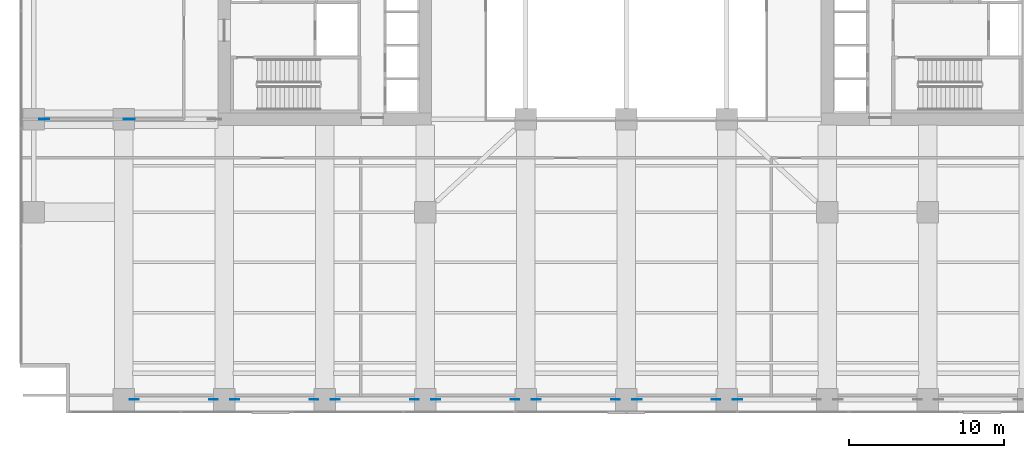
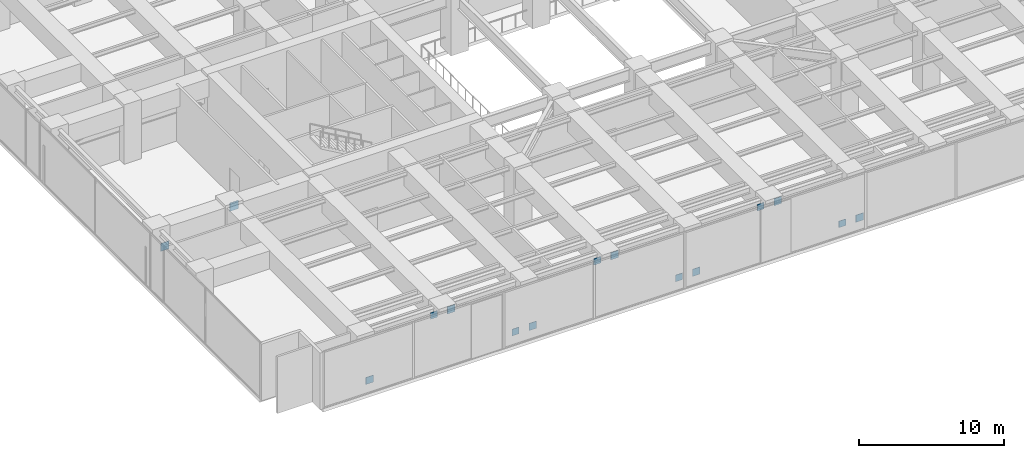
# One storey, part 19 of 31: 15 plates.
"""IFC4 building model written with IfcOpenShell, lengths in metres."""

from ifc_helpers import new_model, si_unit, direction, frame, origin, origin_2d, place, context, subcontext, project, spatial, rectangle, extrude, material, layer, layer_set, type_object, element, save


model = new_model("IFC4")

# Units and contexts
model_context = context("Model", 3, precision=1e-05, world=origin(), true_north=direction((0.0, 1.0)))
body_context = subcontext(model_context, "Body", "Model", "MODEL_VIEW")
ifc_project = project(units=[si_unit("LENGTHUNIT", "METRE"), si_unit("AREAUNIT", "SQUARE_METRE"), si_unit("VOLUMEUNIT", "CUBIC_METRE"), si_unit("PLANEANGLEUNIT", "RADIAN"), si_unit("MASSUNIT", "GRAM", prefix="KILO")], contexts=[model_context])

# Site, building, storey
site_placement = place(None, origin())
site = spatial("IfcSite", under=ifc_project, at=site_placement, CompositionType="ELEMENT")
building_placement = place(site_placement, origin())
building = spatial("IfcBuilding", under=site, at=building_placement, Name="Putna Gate Headquarters", CompositionType="ELEMENT")
storey_placement = place(building_placement, frame((0.0, 0.0, 81.0)))
storey = spatial("IfcBuildingStorey", under=building, at=storey_placement, Name="L19", CompositionType="ELEMENT", Elevation=81.0)

# Plates
ifc_material = material(Name="Steel S460M", Category="steel")
ifc_layer_1 = layer(ifc_material, 0.035888671875)
ifc_layer_set_1 = layer_set([ifc_layer_1], Name="Steel S460M")
plate_type_1 = type_object("IfcPlateType", Name="PLT-NODE-BN1", PredefinedType="SHEET", material=ifc_layer_set_1)
for number, where, z_axis, x_axis, name in (
    (1, (7.18505859375, 0.8798828125, 0.14990234375), (0.0, 0.0, 1.0), (1.0, 0.0, 0.0), "L19 Belt Truss Node Gusset Plate S1-E1"),
    (2, (13.68505859375, 0.8798828125, 3.81494140625), (0.0, 0.0, 1.0), (1.0, 0.0, 0.0), "L19 Belt Truss Node Gusset Plate S2-E1"),
    (3, (20.18505859375, 0.8798828125, 0.14990234375), (0.0, 0.0, 1.0), (1.0, 0.0, 0.0), "L19 Belt Truss Node Gusset Plate S3-E1"),
    (4, (26.68505859375, 0.8798828125, 3.81494140625), (0.0, 0.0, 1.0), (1.0, 0.0, 0.0), "L19 Belt Truss Node Gusset Plate S4-E1"),
    (5, (33.18505859375, 0.8798828125, 0.14990234375), (0.0, 0.0, 1.0), (1.0, 0.0, 0.0), "L19 Belt Truss Node Gusset Plate S5-E1"),
    (6, (39.68505859375, 0.8798828125, 3.81494140625), (0.0, 0.0, 1.0), (1.0, 0.0, 0.0), "L19 Belt Truss Node Gusset Plate S6-E1"),
    (7, (46.18505859375, 0.8798828125, 0.14990234375), (0.0, 0.0, 1.0), (1.0, 0.0, 0.0), "L19 Belt Truss Node Gusset Plate S7-E1"),
):
    element("IfcPlate", number, at=place(storey_placement, frame(where, z_axis=z_axis, x_axis=x_axis)), inside=storey, type_object=plate_type_1, Name=name, PredefinedType="SHEET", context=body_context, shape_type="SweptSolid", body=[
        extrude(rectangle(XDim=0.60009765625, YDim=0.035888671875, at=origin_2d()), origin(), (0.0, 0.0, 1.0), 0.60009765625),
    ])
ifc_layer_2 = layer(ifc_material, 0.035888671875)
ifc_layer_set_2 = layer_set([ifc_layer_2], Name="Steel S460M")
plate_type_2 = type_object("IfcPlateType", Name="PLT-NODE-BN2", PredefinedType="SHEET", material=ifc_layer_set_2)
for number, where, z_axis, x_axis, name in (
    (8, (12.31494140625, 0.8798828125, 3.83984375), (0.0, 0.0, 1.0), (1.0, 0.0, 0.0), "L19 Belt Truss Node Gusset Plate S1-E2"),
    (9, (18.81494140625, 0.8798828125, 0.1748046875), (0.0, 0.0, 1.0), (1.0, 0.0, 0.0), "L19 Belt Truss Node Gusset Plate S2-E2"),
    (10, (25.31494140625, 0.8798828125, 3.83984375), (0.0, 0.0, 1.0), (1.0, 0.0, 0.0), "L19 Belt Truss Node Gusset Plate S3-E2"),
    (11, (31.81494140625, 0.8798828125, 0.1748046875), (0.0, 0.0, 1.0), (1.0, 0.0, 0.0), "L19 Belt Truss Node Gusset Plate S4-E2"),
    (12, (38.31494140625, 0.8798828125, 3.83984375), (0.0, 0.0, 1.0), (1.0, 0.0, 0.0), "L19 Belt Truss Node Gusset Plate S5-E2"),
    (13, (44.81494140625, 0.8798828125, 0.1748046875), (0.0, 0.0, 1.0), (1.0, 0.0, 0.0), "L19 Belt Truss Node Gusset Plate S6-E2"),
):
    element("IfcPlate", number, at=place(storey_placement, frame(where, z_axis=z_axis, x_axis=x_axis)), inside=storey, type_object=plate_type_2, Name=name, PredefinedType="SHEET", context=body_context, shape_type="SweptSolid", body=[
        extrude(rectangle(XDim=0.550048828125, YDim=0.035888671875, at=origin_2d()), origin(), (0.0, 0.0, 1.0), 0.550048828125),
    ])
ifc_layer_3 = layer(ifc_material, 0.0400390625)
ifc_layer_set_3 = layer_set([ifc_layer_3], Name="Steel S460M")
plate_type_3 = type_object("IfcPlateType", Name="PLT-NODE-ON2", PredefinedType="SHEET", material=ifc_layer_set_3)
plate_1_placement = place(storey_placement, frame((6.87255859375, 19.0, 3.865234375), z_axis=(0.0, 0.0, 1.0), x_axis=(1.0, 0.0, 0.0)))
element("IfcPlate", 14, at=plate_1_placement, inside=storey, type_object=plate_type_3, Name="L19 Outrigger Node Plate ON2 WS", PredefinedType="SHEET", context=body_context, shape_type="SweptSolid", body=[
    extrude(rectangle(XDim=0.699951171875, YDim=0.0400390625, at=origin_2d()), origin(), (0.0, 0.0, 1.0), 0.699951171875),
])
ifc_layer_4 = layer(ifc_material, 0.0400390625)
ifc_layer_set_4 = layer_set([ifc_layer_4], Name="Steel S460M")
plate_type_4 = type_object("IfcPlateType", Name="PLT-NODE-ON3", PredefinedType="SHEET", material=ifc_layer_set_4)
plate_2_placement = place(storey_placement, frame((1.364990234375, 19.0, 2.425048828125), z_axis=(0.0, 0.0, 1.0), x_axis=(1.0, 0.0, 0.0)))
element("IfcPlate", 15, at=plate_2_placement, inside=storey, type_object=plate_type_4, Name="L19 Outrigger Node Plate ON3 WS", PredefinedType="SHEET", context=body_context, shape_type="SweptSolid", body=[
    extrude(rectangle(XDim=0.64990234375, YDim=0.0400390625, at=origin_2d()), origin(), (0.0, 0.0, 1.0), 0.64990234375),
])

save(model, "model.ifc")
